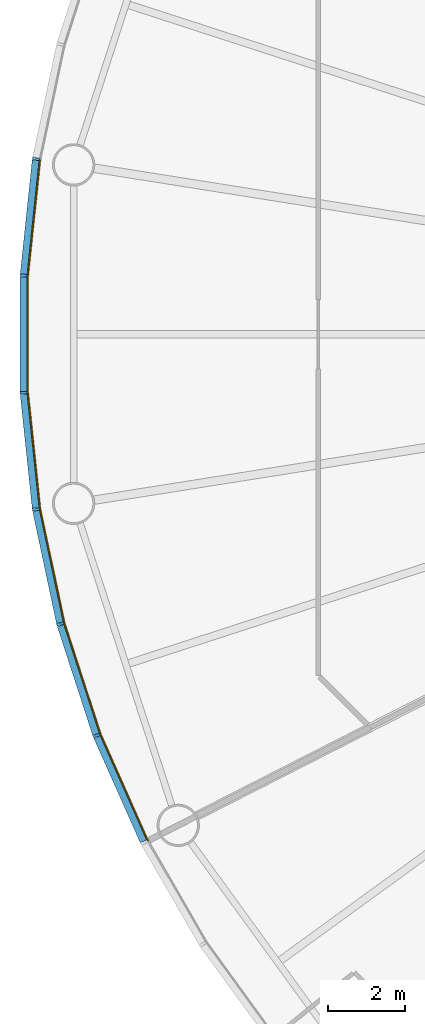
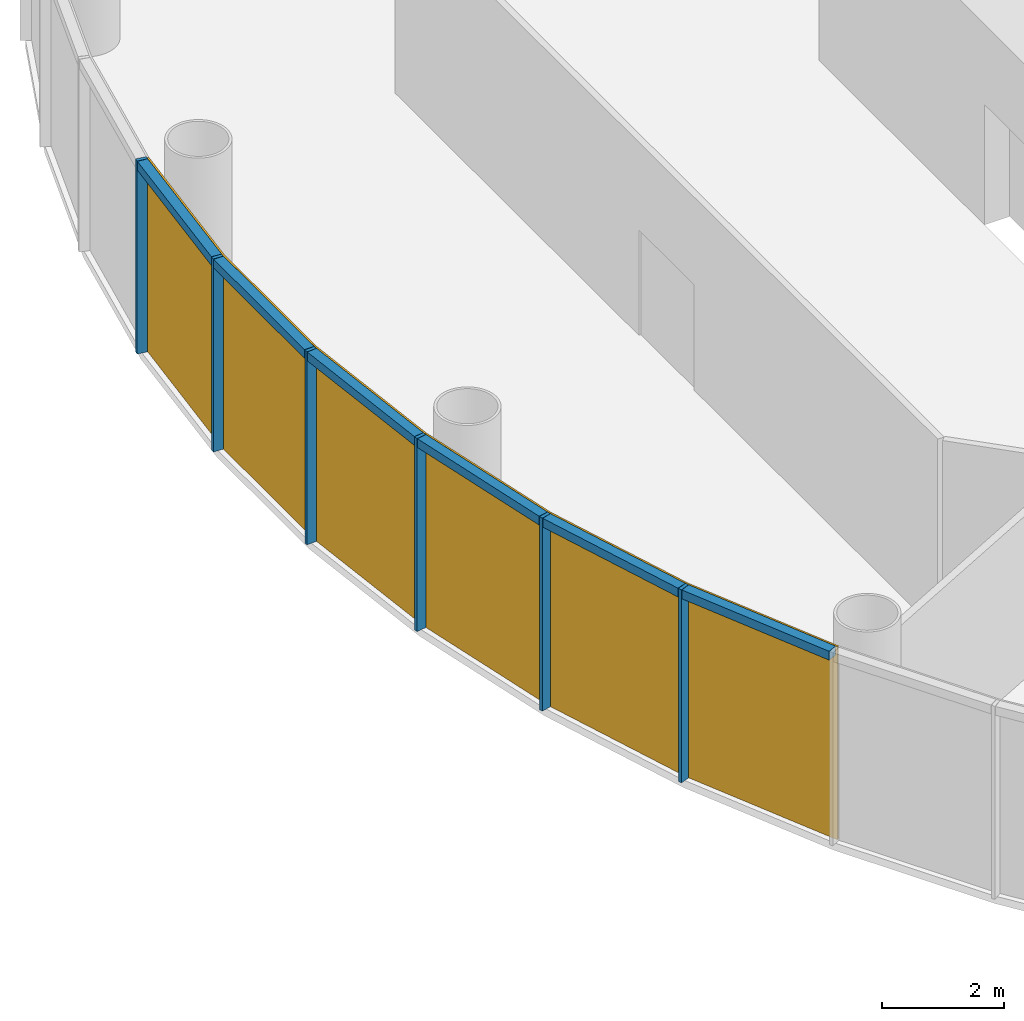
# One storey, part 8 of 13: 12 members, 2 curtain walls.
"""IFC4 building model written with IfcOpenShell, lengths in metres."""

from ifc_helpers import new_model, si_unit, direction, frame, origin, origin_2d, place, context, subcontext, project, spatial, polyline, rectangle, outline, extrude, material, layer, layer_set, material_profile, profile_set, type_object, element, aggregate, save


model = new_model("IFC4")

# Units and contexts
model_context = context("Model", 3, precision=1e-05, world=origin(), true_north=direction((0.0, 1.0)))
body_context = subcontext(model_context, "Body", "Model", "MODEL_VIEW")
ifc_project = project(units=[si_unit("LENGTHUNIT", "METRE"), si_unit("AREAUNIT", "SQUARE_METRE"), si_unit("VOLUMEUNIT", "CUBIC_METRE"), si_unit("PLANEANGLEUNIT", "RADIAN"), si_unit("MASSUNIT", "GRAM", prefix="KILO")], contexts=[model_context])

# Member
ifc_material_1 = material(Name="Anodised aluminium", Category="aluminium")
ifc_material_profile_1 = material_profile(ifc_material_1, rectangle(XDim=0.06494140625, YDim=0.18505859375, at=origin_2d()), Name="Mullion 65 x 185 mm anodised aluminium")
ifc_profile_set_1 = profile_set([ifc_material_profile_1], Name="Anodised aluminium")
member_type_1 = type_object("IfcMemberType", Name="Mullion 65 x 185 mm anodised aluminium", PredefinedType="MULLION", material=ifc_profile_set_1)
site_placement = place(None, origin())
building_placement = place(site_placement, origin())
storey_placement = place(building_placement, frame((0.0, 0.0, 184.0)))
member_1_placement = place(storey_placement, frame((61.265625, 84.551025390625, 0.0), z_axis=(0.0, 0.0, 1.0), x_axis=(-0.15643446504, -0.987688340595, 0.0)))
member_1 = element("IfcMember", 1, at=member_1_placement, type_object=member_type_1, Name="MULLION L42-27", PredefinedType="MULLION", context=body_context, shape_type="SweptSolid", body=[
    extrude(rectangle(XDim=0.06494140625, YDim=0.18505859375, at=origin_2d()), origin(), (0.0, 0.0, 1.0), 3.85009765625),
])

member_2_placement = place(storey_placement, frame((60.947265625, 81.522705078125, 0.0), z_axis=(0.0, 0.0, 1.0), x_axis=(-0.052335956243, -0.998629534755, 0.0)))
member_2 = element("IfcMember", 2, at=member_2_placement, type_object=member_type_1, Name="MULLION L42-28", PredefinedType="MULLION", context=body_context, shape_type="SweptSolid", body=[
    extrude(rectangle(XDim=0.06494140625, YDim=0.18505859375, at=origin_2d()), origin(), (0.0, 0.0, 1.0), 3.85009765625),
])

member_3_placement = place(storey_placement, frame((60.947265625, 78.477294921875, 0.0), z_axis=(0.0, 0.0, 1.0), x_axis=(0.052335956243, -0.998629534755, 0.0)))
member_3 = element("IfcMember", 3, at=member_3_placement, type_object=member_type_1, Name="MULLION L42-29", PredefinedType="MULLION", context=body_context, shape_type="SweptSolid", body=[
    extrude(rectangle(XDim=0.06494140625, YDim=0.18505859375, at=origin_2d()), origin(), (0.0, 0.0, 1.0), 3.85009765625),
])

member_4_placement = place(storey_placement, frame((61.265625, 75.448974609375, 0.0), z_axis=(0.0, 0.0, 1.0), x_axis=(0.15643446504, -0.987688340595, 0.0)))
member_4 = element("IfcMember", 4, at=member_4_placement, type_object=member_type_1, Name="MULLION L42-30", PredefinedType="MULLION", context=body_context, shape_type="SweptSolid", body=[
    extrude(rectangle(XDim=0.06494140625, YDim=0.18505859375, at=origin_2d()), origin(), (0.0, 0.0, 1.0), 3.85009765625),
])

member_5_placement = place(storey_placement, frame((61.898681640625, 72.47021484375, 0.0), z_axis=(0.0, 0.0, 1.0), x_axis=(0.258819045103, -0.965925826289, 0.0)))
member_5 = element("IfcMember", 5, at=member_5_placement, type_object=member_type_1, Name="MULLION L42-31", PredefinedType="MULLION", context=body_context, shape_type="SweptSolid", body=[
    extrude(rectangle(XDim=0.06494140625, YDim=0.18505859375, at=origin_2d()), origin(), (0.0, 0.0, 1.0), 3.85009765625),
])

member_6_placement = place(storey_placement, frame((62.83984375, 69.57421875, 0.0), z_axis=(0.0, 0.0, 1.0), x_axis=(0.358367949545, -0.933580426497, 0.0)))
member_6 = element("IfcMember", 6, at=member_6_placement, type_object=member_type_1, Name="MULLION L42-32", PredefinedType="MULLION", context=body_context, shape_type="SweptSolid", body=[
    extrude(rectangle(XDim=0.06494140625, YDim=0.18505859375, at=origin_2d()), origin(), (0.0, 0.0, 1.0), 3.85009765625),
])

ifc_material_2 = material(Name="Anodised aluminium", Category="aluminium")
ifc_material_profile_2 = material_profile(ifc_material_2, rectangle(XDim=0.18505859375, YDim=0.175048828125, at=origin_2d()), Name="Transom 175 x 185 mm anodised aluminium")
ifc_profile_set_2 = profile_set([ifc_material_profile_2], Name="Anodised aluminium")
member_type_2 = type_object("IfcMemberType", Name="Transom 175 x 185 mm anodised aluminium", PredefinedType="USERDEFINED", material=ifc_profile_set_2)
member_7_placement = place(storey_placement, frame((61.26171875, 84.513916015625, 3.762451171875), z_axis=(-0.104547872381, -0.994519855197, 0.0), x_axis=(0.994519855197, -0.104547872381, 0.0)))
member_7 = element("IfcMember", 7, at=member_7_placement, type_object=member_type_2, Name="TRANSOM L42-27", ObjectType="TRANSOM", PredefinedType="USERDEFINED", context=body_context, shape_type="SweptSolid", body=[
    extrude(rectangle(XDim=0.18505859375, YDim=0.175048828125, at=origin_2d()), origin(), (0.0, 0.0, 1.0), 2.970458984375),
])

member_8_placement = place(storey_placement, frame((60.947265625, 81.4853515625, 3.762451171875), z_axis=(0.0, -1.0, 0.0), x_axis=(1.0, 0.0, 0.0)))
member_8 = element("IfcMember", 8, at=member_8_placement, type_object=member_type_2, Name="TRANSOM L42-28", ObjectType="TRANSOM", PredefinedType="USERDEFINED", context=body_context, shape_type="SweptSolid", body=[
    extrude(rectangle(XDim=0.18505859375, YDim=0.175048828125, at=origin_2d()), origin(), (0.0, 0.0, 1.0), 2.970703125),
])

member_9_placement = place(storey_placement, frame((60.951171875, 78.440185546875, 3.762451171875), z_axis=(0.104547872381, -0.994519855197, 0.0), x_axis=(0.994519855197, 0.104547872381, 0.0)))
member_9 = element("IfcMember", 9, at=member_9_placement, type_object=member_type_2, Name="TRANSOM L42-29", ObjectType="TRANSOM", PredefinedType="USERDEFINED", context=body_context, shape_type="SweptSolid", body=[
    extrude(rectangle(XDim=0.18505859375, YDim=0.175048828125, at=origin_2d()), origin(), (0.0, 0.0, 1.0), 2.970458984375),
])

member_10_placement = place(storey_placement, frame((61.2734375, 75.412353515625, 3.762451171875), z_axis=(0.207861704825, -0.97815822425, 0.0), x_axis=(0.97815822425, 0.207861704825, 0.0)))
member_10 = element("IfcMember", 10, at=member_10_placement, type_object=member_type_2, Name="TRANSOM L42-30", ObjectType="TRANSOM", PredefinedType="USERDEFINED", context=body_context, shape_type="SweptSolid", body=[
    extrude(rectangle(XDim=0.18505859375, YDim=0.175048828125, at=origin_2d()), origin(), (0.0, 0.0, 1.0), 2.970458984375),
])

member_11_placement = place(storey_placement, frame((61.91015625, 72.434814453125, 3.762451171875), z_axis=(0.30901917063, -0.951055809184, 0.0), x_axis=(0.951055809184, 0.30901917063, 0.0)))
member_11 = element("IfcMember", 11, at=member_11_placement, type_object=member_type_2, Name="TRANSOM L42-31", ObjectType="TRANSOM", PredefinedType="USERDEFINED", context=body_context, shape_type="SweptSolid", body=[
    extrude(rectangle(XDim=0.18505859375, YDim=0.175048828125, at=origin_2d()), origin(), (0.0, 0.0, 1.0), 2.970703125),
])

member_12_placement = place(storey_placement, frame((62.85498046875, 69.5400390625, 3.762451171875), z_axis=(0.406687471156, -0.913567348806, 0.0), x_axis=(0.913567348806, 0.406687471156, 0.0)))
member_12 = element("IfcMember", 12, at=member_12_placement, type_object=member_type_2, Name="TRANSOM L42-32", ObjectType="TRANSOM", PredefinedType="USERDEFINED", context=body_context, shape_type="SweptSolid", body=[
    extrude(rectangle(XDim=0.18505859375, YDim=0.175048828125, at=origin_2d()), origin(), (0.0, 0.0, 1.0), 2.970458984375),
])

# Site, building, storey
site = spatial("IfcSite", under=ifc_project, at=site_placement, CompositionType="ELEMENT")
building = spatial("IfcBuilding", under=site, at=building_placement, Name="Entoto Ring Tower", CompositionType="ELEMENT")
storey = spatial("IfcBuildingStorey", under=building, at=storey_placement, Name="L42", CompositionType="ELEMENT", Elevation=184.0)

# Curtain wall
ifc_material_3 = material(Name="Clear low-iron glass", Category="glass")
ifc_layer = layer(ifc_material_3, 0.033935546875)
ifc_layer_set = layer_set([ifc_layer], Name="Clear low-iron glass")
curtain_wall_type = type_object("IfcCurtainWallType", Name="Curtain wall system CW3 glazing 34 mm", PredefinedType="NOTDEFINED", material=ifc_layer_set)
curtain_wall_1_placement = place(storey_placement, origin())
curtain_wall_1 = element("IfcCurtainWall", 13, at=curtain_wall_1_placement, inside=storey, type_object=curtain_wall_type, Name="CW3 L42-10", PredefinedType="NOTDEFINED", context=body_context, shape_type="SweptSolid", body=[
    extrude(outline(polyline([(61.35693359375, 84.53662109375), (61.039794921875, 81.517822265625), (61.039794921875, 78.482177734375), (61.35693359375, 75.46337890625), (61.390625, 75.46875), (61.07373046875, 78.484130859375), (61.07373046875, 81.515869140625), (61.390625, 84.53125), (61.35693359375, 84.53662109375)])), origin(), (0.0, 0.0, 1.0), 3.85009765625),
])

aggregate(curtain_wall_1, [member_1, member_2, member_3, member_7, member_8, member_9])

curtain_wall_2_placement = place(storey_placement, origin())
curtain_wall_2 = element("IfcCurtainWall", 14, at=curtain_wall_2_placement, inside=storey, type_object=curtain_wall_type, Name="CW3 L42-11", PredefinedType="NOTDEFINED", context=body_context, shape_type="SweptSolid", body=[
    extrude(outline(polyline([(61.35693359375, 75.46337890625), (61.988037109375, 72.494140625), (62.92626953125, 69.607421875), (64.160888671875, 66.834228515625), (64.191162109375, 66.849853515625), (62.9580078125, 69.61962890625), (62.02099609375, 72.503173828125), (61.390625, 75.46875), (61.35693359375, 75.46337890625)])), origin(), (0.0, 0.0, 1.0), 3.85009765625),
])

aggregate(curtain_wall_2, [member_4, member_5, member_6, member_10, member_11, member_12])

save(model, "model.ifc")
